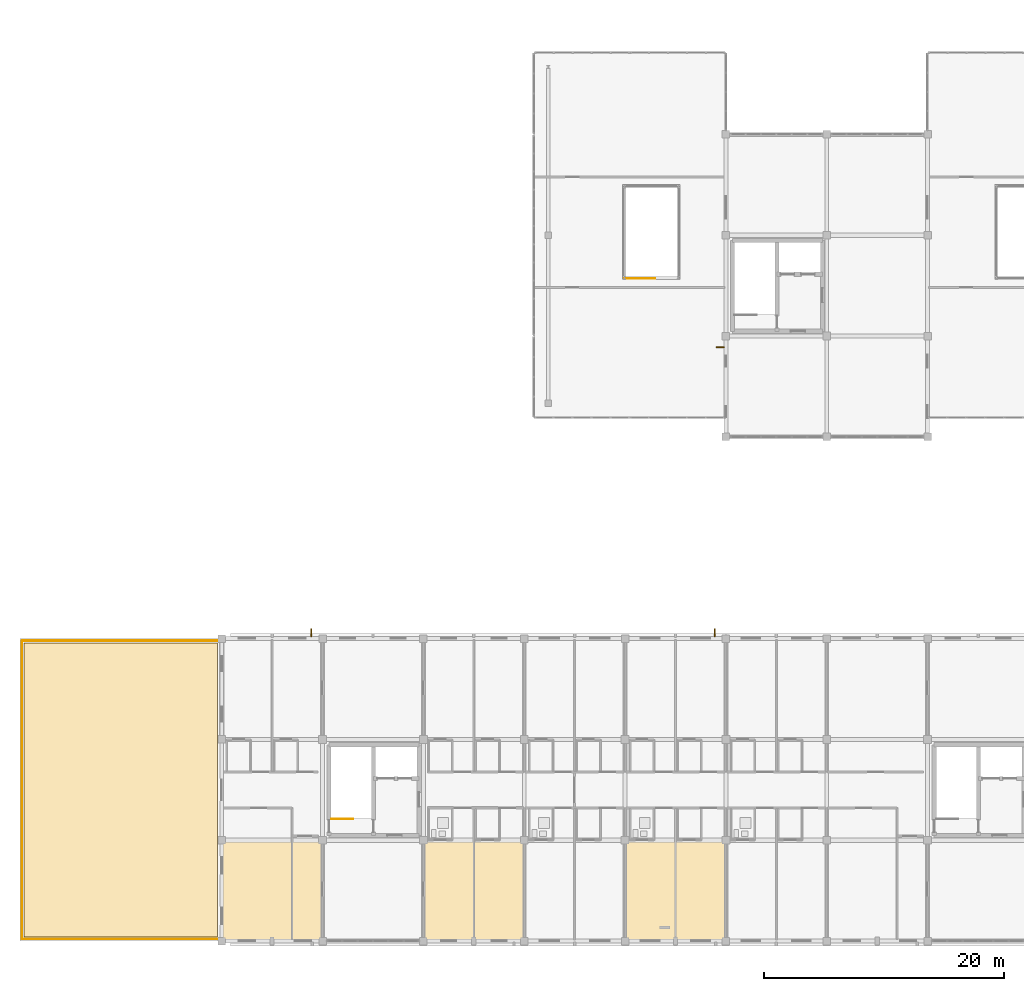
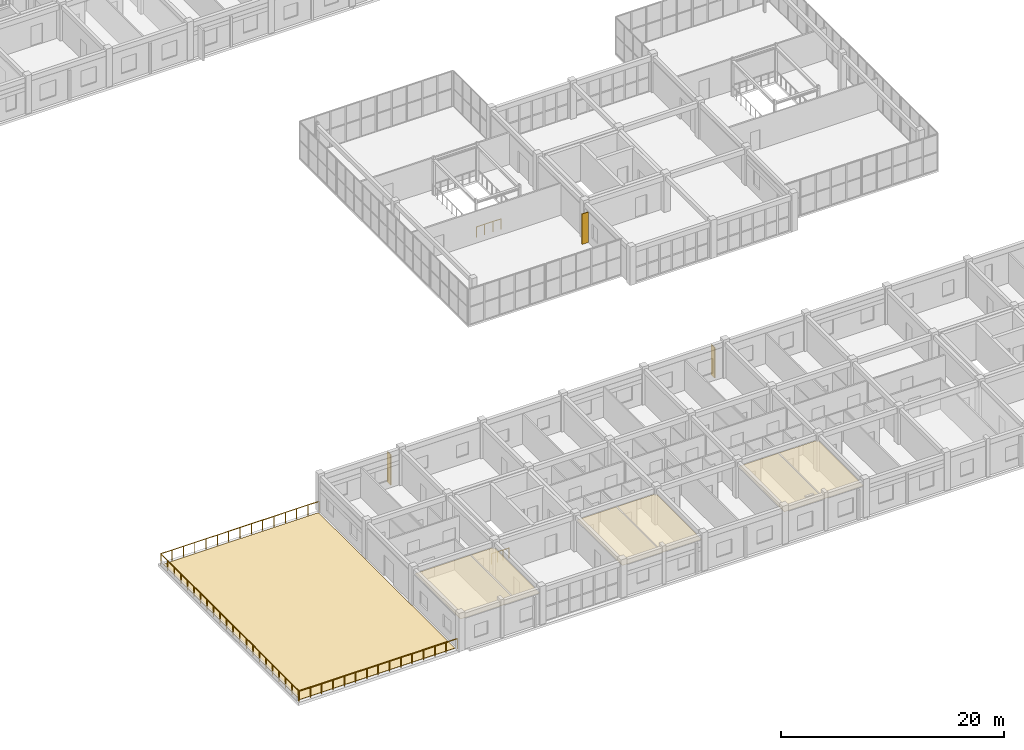
# One storey, part 75 of 81: 5 railings, 4 coverings, 3 shading devices.
"""IFC4 building model written with IfcOpenShell, lengths in metres."""

from ifc_helpers import new_model, si_unit, direction, frame, origin, origin_2d, place, context, subcontext, project, spatial, polyline, rectangle, circle, outline, extrude, material, layer, layer_set, type_object, element, save


model = new_model("IFC4")

# Units and contexts
model_context = context("Model", 3, precision=1e-05, world=origin(), true_north=direction((0.0, 1.0)))
body_context = subcontext(model_context, "Body", "Model", "MODEL_VIEW")
ifc_project = project(units=[si_unit("LENGTHUNIT", "METRE"), si_unit("AREAUNIT", "SQUARE_METRE"), si_unit("VOLUMEUNIT", "CUBIC_METRE"), si_unit("PLANEANGLEUNIT", "RADIAN"), si_unit("MASSUNIT", "GRAM", prefix="KILO")], contexts=[model_context])

# Site, building, storey
site_placement = place(None, origin())
site = spatial("IfcSite", under=ifc_project, at=site_placement, CompositionType="ELEMENT")
building_placement = place(site_placement, origin())
building = spatial("IfcBuilding", under=site, at=building_placement, Name="Trelvath General Hospital", CompositionType="ELEMENT")
storey_placement = place(building_placement, frame((0.0, 0.0, 24.60009765625)))
storey = spatial("IfcBuildingStorey", under=building, at=storey_placement, Name="L06", CompositionType="ELEMENT", Elevation=24.60009765625)

# Coverings
ifc_material_1 = material(Name="Hygienic acoustic ceiling tile")
ifc_layer_1 = layer(ifc_material_1, 0.02490234375)
ifc_layer_set_1 = layer_set([ifc_layer_1], Name="Hygienic acoustic ceiling tile")
covering_type_1 = type_object("IfcCoveringType", Name="Ceiling ClinicalAcoustic", PredefinedType="CEILING", material=ifc_layer_set_1)
covering_1_placement = place(storey_placement, frame((0.0, 0.0, 3.199951171875)))
element("IfcCovering", 1, at=covering_1_placement, inside=storey, type_object=covering_type_1, Name="Clinical Acoustic Ceiling L06-71", PredefinedType="CEILING", context=body_context, shape_type="SweptSolid", body=[
    extrude(outline(polyline([(33.699951171875, 0.10009765625), (41.89990234375, 0.10009765625), (41.89990234375, 8.320068359375), (33.699951171875, 8.320068359375), (33.699951171875, 0.10009765625)])), origin(), (0.0, 0.0, 1.0), 0.02490234375),
])
covering_2_placement = place(storey_placement, frame((0.0, 0.0, 3.199951171875)))
element("IfcCovering", 2, at=covering_2_placement, inside=storey, type_object=covering_type_1, Name="Clinical Acoustic Ceiling L06-72", PredefinedType="CEILING", context=body_context, shape_type="SweptSolid", body=[
    extrude(outline(polyline([(50.5, 0.10009765625), (58.699951171875, 0.10009765625), (58.699951171875, 8.320068359375), (50.5, 8.320068359375), (50.5, 0.10009765625)])), origin(), (0.0, 0.0, 1.0), 0.02490234375),
])
covering_3_placement = place(storey_placement, frame((0.0, 0.0, 3.199951171875)))
element("IfcCovering", 3, at=covering_3_placement, inside=storey, type_object=covering_type_1, Name="Clinical Acoustic Ceiling L06-73", PredefinedType="CEILING", context=body_context, shape_type="SweptSolid", body=[
    extrude(outline(polyline([(67.300048828125, 0.10009765625), (75.5, 0.10009765625), (75.5, 8.320068359375), (67.300048828125, 8.320068359375), (67.300048828125, 0.10009765625)])), origin(), (0.0, 0.0, 1.0), 0.02490234375),
])

# Railings
ifc_material_2 = material(Name="Architectural painted steel", Category="steel")
railing_type = type_object("IfcRailingType", Name="Guardrail Terrace1150", PredefinedType="GUARDRAIL", material=ifc_material_2)
railing_1_placement = place(storey_placement, frame((16.97998046875, 0.239990234375, 0.0)))
element("IfcRailing", 4, at=railing_1_placement, inside=storey, type_object=railing_type, Name="Planted Terrace Guardrail TERR-SW-W6 W 13", PredefinedType="GUARDRAIL", context=body_context, shape_type="SweptSolid", body=[
    extrude(circle(Radius=0.02392578125, at=origin_2d()), frame((0.0, 0.0, 1.1259765625), z_axis=(0.0, 1.0, 0.0), x_axis=(-1.0, 0.0, 0.0)), (0.0, 0.0, 1.0), 24.719970703125),
    extrude(circle(Radius=0.02099609375, at=origin_2d()), origin(), (0.0, 0.0, 1.0), 1.099853515625),
    extrude(circle(Radius=0.02099609375, at=origin_2d()), frame((0.0, 1.17724609375, 0.0)), (0.0, 0.0, 1.0), 1.099853515625),
    extrude(circle(Radius=0.02099609375, at=origin_2d()), frame((0.0, 2.354248046875, 0.0)), (0.0, 0.0, 1.0), 1.099853515625),
    extrude(circle(Radius=0.02099609375, at=origin_2d()), frame((0.0, 3.531494140625, 0.0)), (0.0, 0.0, 1.0), 1.099853515625),
    extrude(circle(Radius=0.02099609375, at=origin_2d()), frame((0.0, 4.70849609375, 0.0)), (0.0, 0.0, 1.0), 1.099853515625),
    extrude(circle(Radius=0.02099609375, at=origin_2d()), frame((0.0, 5.8857421875, 0.0)), (0.0, 0.0, 1.0), 1.099853515625),
    extrude(circle(Radius=0.02099609375, at=origin_2d()), frame((0.0, 7.062744140625, 0.0)), (0.0, 0.0, 1.0), 1.099853515625),
    extrude(circle(Radius=0.02099609375, at=origin_2d()), frame((0.0, 8.239990234375, 0.0)), (0.0, 0.0, 1.0), 1.099853515625),
    extrude(circle(Radius=0.02099609375, at=origin_2d()), frame((0.0, 9.417236328125, 0.0)), (0.0, 0.0, 1.0), 1.099853515625),
    extrude(circle(Radius=0.02099609375, at=origin_2d()), frame((0.0, 10.59423828125, 0.0)), (0.0, 0.0, 1.0), 1.099853515625),
    extrude(circle(Radius=0.02099609375, at=origin_2d()), frame((0.0, 11.771484375, 0.0)), (0.0, 0.0, 1.0), 1.099853515625),
    extrude(circle(Radius=0.02099609375, at=origin_2d()), frame((0.0, 12.948486328125, 0.0)), (0.0, 0.0, 1.0), 1.099853515625),
    extrude(circle(Radius=0.02099609375, at=origin_2d()), frame((0.0, 14.125732421875, 0.0)), (0.0, 0.0, 1.0), 1.099853515625),
    extrude(circle(Radius=0.02099609375, at=origin_2d()), frame((0.0, 15.302734375, 0.0)), (0.0, 0.0, 1.0), 1.099853515625),
    extrude(circle(Radius=0.02099609375, at=origin_2d()), frame((0.0, 16.47998046875, 0.0)), (0.0, 0.0, 1.0), 1.099853515625),
    extrude(circle(Radius=0.02099609375, at=origin_2d()), frame((0.0, 17.6572265625, 0.0)), (0.0, 0.0, 1.0), 1.099853515625),
    extrude(circle(Radius=0.02099609375, at=origin_2d()), frame((0.0, 18.834228515625, 0.0)), (0.0, 0.0, 1.0), 1.099853515625),
    extrude(circle(Radius=0.02099609375, at=origin_2d()), frame((0.0, 20.011474609375, 0.0)), (0.0, 0.0, 1.0), 1.099853515625),
    extrude(circle(Radius=0.02099609375, at=origin_2d()), frame((0.0, 21.1884765625, 0.0)), (0.0, 0.0, 1.0), 1.099853515625),
    extrude(circle(Radius=0.02099609375, at=origin_2d()), frame((0.0, 22.36572265625, 0.0)), (0.0, 0.0, 1.0), 1.099853515625),
    extrude(circle(Radius=0.02099609375, at=origin_2d()), frame((0.0, 23.542724609375, 0.0)), (0.0, 0.0, 1.0), 1.099853515625),
    extrude(circle(Radius=0.02099609375, at=origin_2d()), frame((0.0, 24.719970703125, 0.0)), (0.0, 0.0, 1.0), 1.099853515625),
])
railing_2_placement = place(storey_placement, frame((16.97998046875, 0.179931640625, 0.0)))
element("IfcRailing", 5, at=railing_2_placement, inside=storey, type_object=railing_type, Name="Planted Terrace Guardrail TERR-SW-W6 S 14", PredefinedType="GUARDRAIL", context=body_context, shape_type="SweptSolid", body=[
    extrude(circle(Radius=0.02392578125, at=origin_2d()), frame((0.0, 0.0, 1.1259765625), z_axis=(1.0, 0.0, 0.0), x_axis=(0.0, 1.0, 0.0)), (0.0, 0.0, 1.0), 16.43994140625),
    extrude(circle(Radius=0.02099609375, at=origin_2d()), origin(), (0.0, 0.0, 1.0), 1.099853515625),
    extrude(circle(Radius=0.02099609375, at=origin_2d()), frame((1.17431640625, 0.0, 0.0)), (0.0, 0.0, 1.0), 1.099853515625),
    extrude(circle(Radius=0.02099609375, at=origin_2d()), frame((2.3486328125, 0.0, 0.0)), (0.0, 0.0, 1.0), 1.099853515625),
    extrude(circle(Radius=0.02099609375, at=origin_2d()), frame((3.52294921875, 0.0, 0.0)), (0.0, 0.0, 1.0), 1.099853515625),
    extrude(circle(Radius=0.02099609375, at=origin_2d()), frame((4.697021484375, 0.0, 0.0)), (0.0, 0.0, 1.0), 1.099853515625),
    extrude(circle(Radius=0.02099609375, at=origin_2d()), frame((5.871337890625, 0.0, 0.0)), (0.0, 0.0, 1.0), 1.099853515625),
    extrude(circle(Radius=0.02099609375, at=origin_2d()), frame((7.045654296875, 0.0, 0.0)), (0.0, 0.0, 1.0), 1.099853515625),
    extrude(circle(Radius=0.02099609375, at=origin_2d()), frame((8.219970703125, 0.0, 0.0)), (0.0, 0.0, 1.0), 1.099853515625),
    extrude(circle(Radius=0.02099609375, at=origin_2d()), frame((9.394287109375, 0.0, 0.0)), (0.0, 0.0, 1.0), 1.099853515625),
    extrude(circle(Radius=0.02099609375, at=origin_2d()), frame((10.568603515625, 0.0, 0.0)), (0.0, 0.0, 1.0), 1.099853515625),
    extrude(circle(Radius=0.02099609375, at=origin_2d()), frame((11.742919921875, 0.0, 0.0)), (0.0, 0.0, 1.0), 1.099853515625),
    extrude(circle(Radius=0.02099609375, at=origin_2d()), frame((12.9169921875, 0.0, 0.0)), (0.0, 0.0, 1.0), 1.099853515625),
    extrude(circle(Radius=0.02099609375, at=origin_2d()), frame((14.09130859375, 0.0, 0.0)), (0.0, 0.0, 1.0), 1.099853515625),
    extrude(circle(Radius=0.02099609375, at=origin_2d()), frame((15.265625, 0.0, 0.0)), (0.0, 0.0, 1.0), 1.099853515625),
    extrude(circle(Radius=0.02099609375, at=origin_2d()), frame((16.43994140625, 0.0, 0.0)), (0.0, 0.0, 1.0), 1.099853515625),
])
railing_3_placement = place(storey_placement, frame((16.97998046875, 25.02001953125, 0.0)))
element("IfcRailing", 6, at=railing_3_placement, inside=storey, type_object=railing_type, Name="Planted Terrace Guardrail TERR-SW-W6 N 15", PredefinedType="GUARDRAIL", context=body_context, shape_type="SweptSolid", body=[
    extrude(circle(Radius=0.02392578125, at=origin_2d()), frame((0.0, 0.0, 1.1259765625), z_axis=(1.0, 0.0, 0.0), x_axis=(0.0, 1.0, 0.0)), (0.0, 0.0, 1.0), 16.43994140625),
    extrude(circle(Radius=0.02099609375, at=origin_2d()), origin(), (0.0, 0.0, 1.0), 1.099853515625),
    extrude(circle(Radius=0.02099609375, at=origin_2d()), frame((1.17431640625, 0.0, 0.0)), (0.0, 0.0, 1.0), 1.099853515625),
    extrude(circle(Radius=0.02099609375, at=origin_2d()), frame((2.3486328125, 0.0, 0.0)), (0.0, 0.0, 1.0), 1.099853515625),
    extrude(circle(Radius=0.02099609375, at=origin_2d()), frame((3.52294921875, 0.0, 0.0)), (0.0, 0.0, 1.0), 1.099853515625),
    extrude(circle(Radius=0.02099609375, at=origin_2d()), frame((4.697021484375, 0.0, 0.0)), (0.0, 0.0, 1.0), 1.099853515625),
    extrude(circle(Radius=0.02099609375, at=origin_2d()), frame((5.871337890625, 0.0, 0.0)), (0.0, 0.0, 1.0), 1.099853515625),
    extrude(circle(Radius=0.02099609375, at=origin_2d()), frame((7.045654296875, 0.0, 0.0)), (0.0, 0.0, 1.0), 1.099853515625),
    extrude(circle(Radius=0.02099609375, at=origin_2d()), frame((8.219970703125, 0.0, 0.0)), (0.0, 0.0, 1.0), 1.099853515625),
    extrude(circle(Radius=0.02099609375, at=origin_2d()), frame((9.394287109375, 0.0, 0.0)), (0.0, 0.0, 1.0), 1.099853515625),
    extrude(circle(Radius=0.02099609375, at=origin_2d()), frame((10.568603515625, 0.0, 0.0)), (0.0, 0.0, 1.0), 1.099853515625),
    extrude(circle(Radius=0.02099609375, at=origin_2d()), frame((11.742919921875, 0.0, 0.0)), (0.0, 0.0, 1.0), 1.099853515625),
    extrude(circle(Radius=0.02099609375, at=origin_2d()), frame((12.9169921875, 0.0, 0.0)), (0.0, 0.0, 1.0), 1.099853515625),
    extrude(circle(Radius=0.02099609375, at=origin_2d()), frame((14.09130859375, 0.0, 0.0)), (0.0, 0.0, 1.0), 1.099853515625),
    extrude(circle(Radius=0.02099609375, at=origin_2d()), frame((15.265625, 0.0, 0.0)), (0.0, 0.0, 1.0), 1.099853515625),
    extrude(circle(Radius=0.02099609375, at=origin_2d()), frame((16.43994140625, 0.0, 0.0)), (0.0, 0.0, 1.0), 1.099853515625),
])
railing_4_placement = place(storey_placement, frame((42.72998046875, 10.159912109375, 0.0)))
element("IfcRailing", 7, at=railing_4_placement, inside=storey, type_object=railing_type, Name="Stair Well Edge Guard C4 L06 156", PredefinedType="GUARDRAIL", context=body_context, shape_type="SweptSolid", body=[
    extrude(circle(Radius=0.02392578125, at=origin_2d()), frame((0.0, 0.0, 1.1259765625), z_axis=(1.0, 0.0, 0.0), x_axis=(0.0, 1.0, 0.0)), (0.0, 0.0, 1.0), 1.800048828125),
    extrude(circle(Radius=0.02099609375, at=origin_2d()), origin(), (0.0, 0.0, 1.0), 1.099853515625),
    extrude(circle(Radius=0.02099609375, at=origin_2d()), frame((0.60009765625, 0.0, 0.0)), (0.0, 0.0, 1.0), 1.099853515625),
    extrude(circle(Radius=0.02099609375, at=origin_2d()), frame((1.199951171875, 0.0, 0.0)), (0.0, 0.0, 1.0), 1.099853515625),
    extrude(circle(Radius=0.02099609375, at=origin_2d()), frame((1.800048828125, 0.0, 0.0)), (0.0, 0.0, 1.0), 1.099853515625),
])
railing_5_placement = place(storey_placement, frame((67.139892578125, 55.179931640625, 0.0)))
element("IfcRailing", 8, at=railing_5_placement, inside=storey, type_object=railing_type, Name="Atrium Top-Well Guard S CUBE-W-T2 L06 398", PredefinedType="GUARDRAIL", context=body_context, shape_type="SweptSolid", body=[
    extrude(circle(Radius=0.02392578125, at=origin_2d()), frame((0.0, 0.0, 1.1259765625), z_axis=(1.0, 0.0, 0.0), x_axis=(0.0, 1.0, 0.0)), (0.0, 0.0, 1.0), 2.56005859375),
    extrude(circle(Radius=0.02099609375, at=origin_2d()), origin(), (0.0, 0.0, 1.0), 1.099853515625),
    extrude(circle(Radius=0.02099609375, at=origin_2d()), frame((0.853271484375, 0.0, 0.0)), (0.0, 0.0, 1.0), 1.099853515625),
    extrude(circle(Radius=0.02099609375, at=origin_2d()), frame((1.706787109375, 0.0, 0.0)), (0.0, 0.0, 1.0), 1.099853515625),
    extrude(circle(Radius=0.02099609375, at=origin_2d()), frame((2.56005859375, 0.0, 0.0)), (0.0, 0.0, 1.0), 1.099853515625),
])

# Covering
ifc_material_3 = material(Name="Planted green roof substrate")
ifc_layer_2 = layer(ifc_material_3, 0.179931640625)
ifc_layer_set_2 = layer_set([ifc_layer_2], Name="Planted green roof substrate")
covering_type_2 = type_object("IfcCoveringType", Name="Roofing PlantedGarden", PredefinedType="ROOFING", material=ifc_layer_set_2)
covering_4_placement = place(storey_placement, origin())
element("IfcCovering", 9, at=covering_4_placement, inside=storey, type_object=covering_type_2, Name="Planted Terrace Substrate TERR-SW-W6", PredefinedType="ROOFING", context=body_context, shape_type="SweptSolid", body=[
    extrude(outline(polyline([(17.14990234375, 0.35009765625), (33.25, 0.35009765625), (33.25, 24.85009765625), (17.14990234375, 24.85009765625), (17.14990234375, 0.35009765625)])), origin(), (0.0, 0.0, 1.0), 0.039794921875),
])

# Shading devices
ifc_material_4 = material(Name="Anodised aluminium", Category="aluminium")
shading_device_type = type_object("IfcShadingDeviceType", Name="SolarScreen PerforatedAlu", PredefinedType="JALOUSIE", material=ifc_material_4)
for number, where, z_axis, x_axis, name in (
    (10, (41.07177734375, 25.679931640625, 0.0), (0.0, 0.0, 1.0), (0.0, 1.0, 0.0), "Solar Brise-Soleil Screen L06-92"),
    (11, (74.671875, 25.679931640625, 0.0), (0.0, 0.0, 1.0), (0.0, 1.0, 0.0), "Solar Brise-Soleil Screen L06-94"),
    (12, (75.1201171875, 49.4716796875, 0.0), (0.0, 0.0, 1.0), (-1.0, 0.0, 0.0), "Solar Brise-Soleil Screen L06-95"),
):
    element("IfcShadingDevice", number, at=place(storey_placement, frame(where, z_axis=z_axis, x_axis=x_axis)), inside=storey, type_object=shading_device_type, Name=name, PredefinedType="JALOUSIE", context=body_context, shape_type="SweptSolid", body=[
        extrude(rectangle(XDim=0.64990234375, YDim=0.080078125, at=origin_2d()), origin(), (0.0, 0.0, 1.0), 3.340087890625),
    ])

save(model, "model.ifc")
